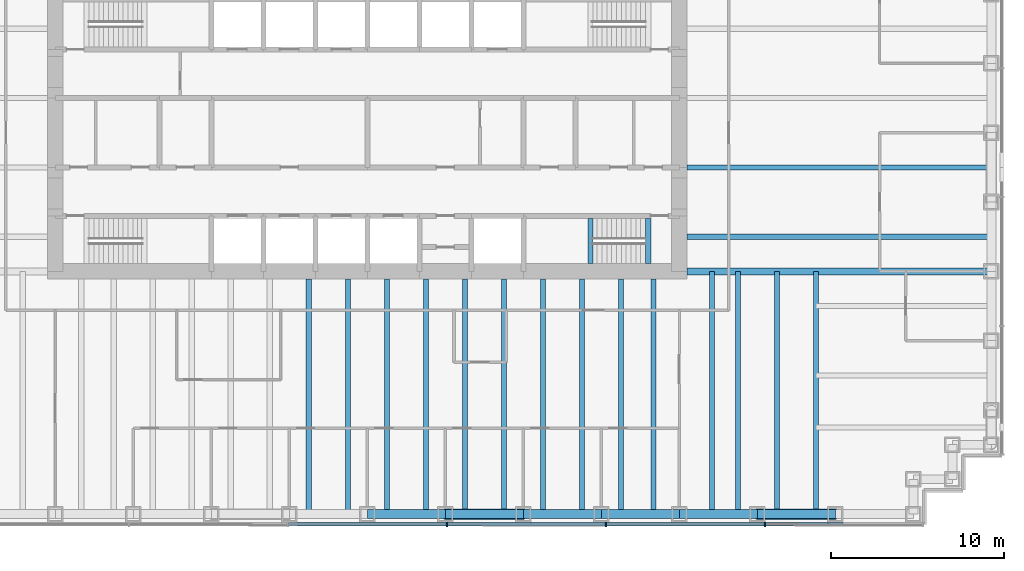
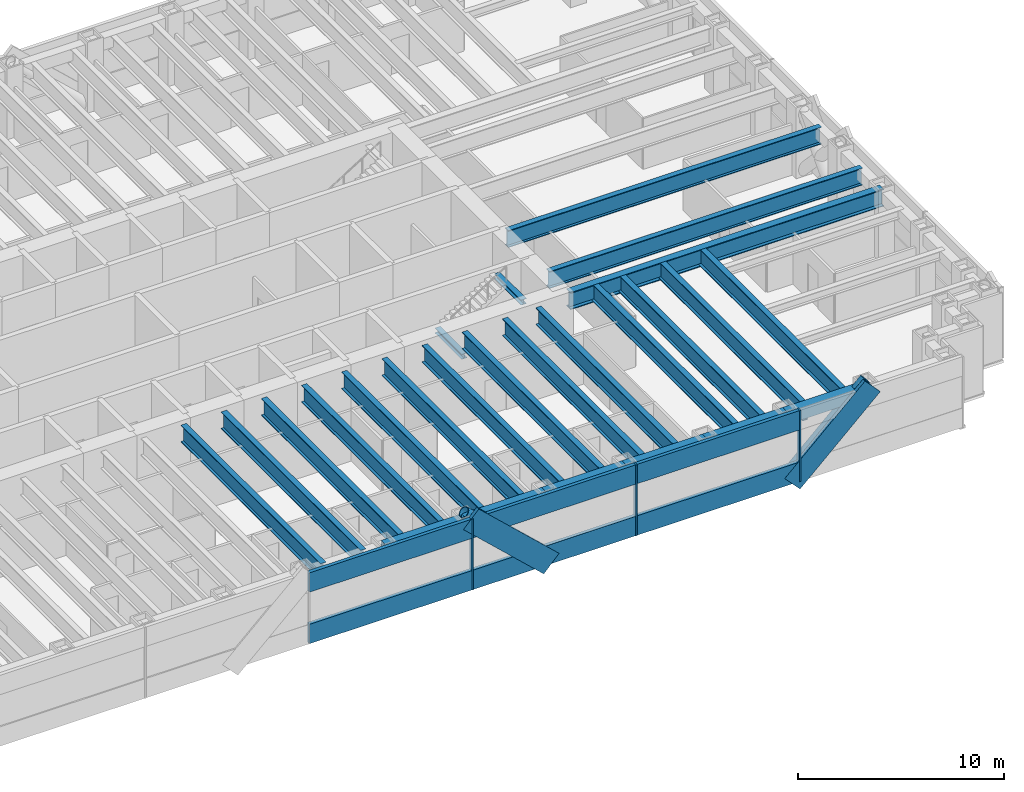
# One storey, part 3 of 16: 25 beams, 13 members, 1 element without a shape of its own.
"""IFC4 building model written with IfcOpenShell, lengths in metres."""

from ifc_helpers import new_model, si_unit, direction, frame, origin, origin_2d, place, context, subcontext, project, spatial, rectangle, hollow_rectangle, hollow_circle, i_section, extrude, material, material_profile, profile_set, type_object, element, aggregate, save


model = new_model("IFC4")

# Units and contexts
model_context = context("Model", 3, precision=1e-05, world=origin(), true_north=direction((0.0, 1.0)))
body_context = subcontext(model_context, "Body", "Model", "MODEL_VIEW")
ifc_project = project(units=[si_unit("LENGTHUNIT", "METRE"), si_unit("AREAUNIT", "SQUARE_METRE"), si_unit("VOLUMEUNIT", "CUBIC_METRE"), si_unit("PLANEANGLEUNIT", "RADIAN"), si_unit("MASSUNIT", "GRAM", prefix="KILO")], contexts=[model_context])

# Site, building, storey
site_placement = place(None, origin())
site = spatial("IfcSite", under=ifc_project, at=site_placement, CompositionType="ELEMENT")
building_placement = place(site_placement, origin())
building = spatial("IfcBuilding", under=site, at=building_placement, Name="Rheinbord Bourse Tower", CompositionType="ELEMENT")
storey_placement = place(building_placement, frame((0.0, 0.0, 176.10009765625)))
storey = spatial("IfcBuildingStorey", under=building, at=storey_placement, Name="L39", CompositionType="ELEMENT", Elevation=176.10009765625)

# Beams
ifc_material_1 = material(Name="Steel S460M", Category="steel")
ifc_material_profile_1 = material_profile(ifc_material_1, hollow_rectangle(XDim=0.5, YDim=0.699951171875, WallThickness=0.0400390625, at=origin_2d()), Name="BOX 700x500x40")
ifc_profile_set_1 = profile_set([ifc_material_profile_1], Name="Steel S460M")
beam_type_1 = type_object("IfcBeamType", Name="BELT CHORD BOX 700x500x40", PredefinedType="SPANDREL", material=ifc_profile_set_1)
for number, where, z_axis, x_axis, name in (
    (1, (36.0, 2.0, 3.599853515625), (1.0, 0.0, 0.0), (0.0, 1.0, 0.0), "Spandrel S-36-S-40.5 under L40"),
    (2, (40.5, 2.0, 3.599853515625), (1.0, 0.0, 0.0), (0.0, 1.0, 0.0), "Spandrel S-40.5-S-45 under L40"),
    (3, (45.0, 2.0, 3.599853515625), (1.0, 0.0, 0.0), (0.0, 1.0, 0.0), "Spandrel S-45-S-49.5 under L40"),
    (4, (49.5, 2.0, 3.599853515625), (1.0, 0.0, 0.0), (0.0, 1.0, 0.0), "Spandrel S-49.5-S-54 under L40"),
    (5, (54.0, 2.0, 3.599853515625), (1.0, 0.0, 0.0), (0.0, 1.0, 0.0), "Spandrel S-54-S-58.5 under L40"),
    (6, (58.5, 2.0, 3.599853515625), (1.0, 0.0, 0.0), (0.0, 1.0, 0.0), "Spandrel S-58.5-S-63 under L40"),
):
    element("IfcBeam", number, at=place(storey_placement, frame(where, z_axis=z_axis, x_axis=x_axis)), inside=storey, type_object=beam_type_1, Name=name, PredefinedType="SPANDREL", context=body_context, shape_type="SweptSolid", body=[
        extrude(hollow_rectangle(XDim=0.5, YDim=0.699951171875, WallThickness=0.0400390625, at=origin_2d()), origin(), (0.0, 0.0, 1.0), 4.5),
    ])

# Curtain wall, members
ifc_material_2 = material(Name="Dark glass and black aluminium", Category="aluminium")
curtain_wall_type = type_object("IfcCurtainWallType", Name="CW5 DARK GLASS CURTAIN WALL", PredefinedType="USERDEFINED", material=ifc_material_2)
curtain_wall_placement = place(storey_placement, origin())
curtain_wall = element("IfcCurtainWall", 7, at=curtain_wall_placement, inside=storey, type_object=curtain_wall_type, Name="Curtain wall CW5 S L39", ObjectType="UNITISED CURTAIN WALL", PredefinedType="USERDEFINED")
ifc_material_3 = material(Name="Black anodised aluminium", Category="aluminium")
ifc_material_profile_2 = material_profile(ifc_material_3, rectangle(XDim=0.199951171875, YDim=1.259033203125, at=origin_2d()), Name="CW5 DIAGONAL MULLION 1259x200")
ifc_profile_set_2 = profile_set([ifc_material_profile_2], Name="Black anodised aluminium")
member_type_1 = type_object("IfcMemberType", Name="CW5 BLACK DIAGONAL MULLION", PredefinedType="USERDEFINED", material=ifc_profile_set_2)
member_1_placement = place(storey_placement, frame((58.5, 1.39990234375, 0.0), z_axis=(0.73105922506, 0.0, 0.682314010889), x_axis=(0.0, 1.0, 0.0)))
member_1 = element("IfcMember", 8, at=member_1_placement, type_object=member_type_1, Name="CW5 diagonal mullion a", ObjectType="DIAGONAL MULLION", PredefinedType="USERDEFINED", context=body_context, shape_type="SweptSolid", body=[
    extrude(rectangle(XDim=0.199951171875, YDim=1.259033203125, at=origin_2d()), origin(), (0.0, 0.0, 1.0), 6.155517578125),
])
member_2_placement = place(storey_placement, frame((45.0, 1.39990234375, 0.0), z_axis=(-0.73105922506, 0.0, 0.682314010889), x_axis=(0.0, -1.0, 0.0)))
member_2 = element("IfcMember", 9, at=member_2_placement, type_object=member_type_1, Name="CW5 diagonal mullion c", ObjectType="DIAGONAL MULLION", PredefinedType="USERDEFINED", context=body_context, shape_type="SweptSolid", body=[
    extrude(rectangle(XDim=0.199951171875, YDim=1.259033203125, at=origin_2d()), origin(), (0.0, 0.0, 1.0), 6.155517578125),
])
ifc_material_4 = material(Name="Black anodised aluminium", Category="aluminium")
ifc_material_profile_3 = material_profile(ifc_material_4, rectangle(XDim=0.25, YDim=0.080078125, at=origin_2d()), Name="CW5 MULLION 80x250")
ifc_profile_set_3 = profile_set([ifc_material_profile_3], Name="Black anodised aluminium")
member_type_2 = type_object("IfcMemberType", Name="CW5 BLACK MULLION", PredefinedType="MULLION", material=ifc_profile_set_3)
member_3_placement = place(storey_placement, frame((40.585693359375, 1.39990234375, 0.0), z_axis=(0.0, 0.0, 1.0), x_axis=(0.0, 1.0, 0.0)))
member_3 = element("IfcMember", 10, at=member_3_placement, type_object=member_type_2, Name="CW5 mullion 5", PredefinedType="MULLION", context=body_context, shape_type="SweptSolid", body=[
    extrude(rectangle(XDim=0.25, YDim=0.080078125, at=origin_2d()), origin(), (0.0, 0.0, 1.0), 4.199951171875),
])
member_4_placement = place(storey_placement, frame((49.757080078125, 1.39990234375, 0.0), z_axis=(0.0, 0.0, 1.0), x_axis=(0.0, 1.0, 0.0)))
member_4 = element("IfcMember", 11, at=member_4_placement, type_object=member_type_2, Name="CW5 mullion 6", PredefinedType="MULLION", context=body_context, shape_type="SweptSolid", body=[
    extrude(rectangle(XDim=0.25, YDim=0.080078125, at=origin_2d()), origin(), (0.0, 0.0, 1.0), 4.199951171875),
])
member_5_placement = place(storey_placement, frame((58.928466796875, 1.39990234375, 0.0), z_axis=(0.0, 0.0, 1.0), x_axis=(0.0, 1.0, 0.0)))
member_5 = element("IfcMember", 12, at=member_5_placement, type_object=member_type_2, Name="CW5 mullion 7", PredefinedType="MULLION", context=body_context, shape_type="SweptSolid", body=[
    extrude(rectangle(XDim=0.25, YDim=0.080078125, at=origin_2d()), origin(), (0.0, 0.0, 1.0), 4.199951171875),
])
ifc_material_5 = material(Name="Black anodised aluminium", Category="aluminium")
ifc_material_profile_4 = material_profile(ifc_material_5, rectangle(XDim=0.199951171875, YDim=1.14990234375, at=origin_2d()), Name="CW5 TRANSOM 1150x200")
ifc_profile_set_4 = profile_set([ifc_material_profile_4], Name="Black anodised aluminium")
member_type_3 = type_object("IfcMemberType", Name="CW5 BLACK TRANSOM", PredefinedType="USERDEFINED", material=ifc_profile_set_4)
member_6_placement = place(storey_placement, frame((31.454345703125, 1.39990234375, 0.574951171875), z_axis=(1.0, 0.0, 0.0), x_axis=(0.0, 1.0, 0.0)))
member_6 = element("IfcMember", 13, at=member_6_placement, type_object=member_type_3, Name="CW5 transom 4.1", ObjectType="TRANSOM", PredefinedType="USERDEFINED", context=body_context, shape_type="SweptSolid", body=[
    extrude(rectangle(XDim=0.199951171875, YDim=1.14990234375, at=origin_2d()), origin(), (0.0, 0.0, 1.0), 9.09130859375),
])
member_7_placement = place(storey_placement, frame((31.454345703125, 1.39990234375, 3.625), z_axis=(1.0, 0.0, 0.0), x_axis=(0.0, 1.0, 0.0)))
member_7 = element("IfcMember", 14, at=member_7_placement, type_object=member_type_3, Name="CW5 transom 4.2", ObjectType="TRANSOM", PredefinedType="USERDEFINED", context=body_context, shape_type="SweptSolid", body=[
    extrude(rectangle(XDim=0.199951171875, YDim=1.14990234375, at=origin_2d()), origin(), (0.0, 0.0, 1.0), 9.09130859375),
])
member_8_placement = place(storey_placement, frame((40.625732421875, 1.39990234375, 0.574951171875), z_axis=(1.0, 0.0, 0.0), x_axis=(0.0, 1.0, 0.0)))
member_8 = element("IfcMember", 15, at=member_8_placement, type_object=member_type_3, Name="CW5 transom 5.1", ObjectType="TRANSOM", PredefinedType="USERDEFINED", context=body_context, shape_type="SweptSolid", body=[
    extrude(rectangle(XDim=0.199951171875, YDim=1.14990234375, at=origin_2d()), origin(), (0.0, 0.0, 1.0), 9.09130859375),
])
member_9_placement = place(storey_placement, frame((40.625732421875, 1.39990234375, 3.625), z_axis=(1.0, 0.0, 0.0), x_axis=(0.0, 1.0, 0.0)))
member_9 = element("IfcMember", 16, at=member_9_placement, type_object=member_type_3, Name="CW5 transom 5.2", ObjectType="TRANSOM", PredefinedType="USERDEFINED", context=body_context, shape_type="SweptSolid", body=[
    extrude(rectangle(XDim=0.199951171875, YDim=1.14990234375, at=origin_2d()), origin(), (0.0, 0.0, 1.0), 9.09130859375),
])
member_10_placement = place(storey_placement, frame((49.797119140625, 1.39990234375, 0.574951171875), z_axis=(1.0, 0.0, 0.0), x_axis=(0.0, 1.0, 0.0)))
member_10 = element("IfcMember", 17, at=member_10_placement, type_object=member_type_3, Name="CW5 transom 6.1", ObjectType="TRANSOM", PredefinedType="USERDEFINED", context=body_context, shape_type="SweptSolid", body=[
    extrude(rectangle(XDim=0.199951171875, YDim=1.14990234375, at=origin_2d()), origin(), (0.0, 0.0, 1.0), 9.091552734375),
])
member_11_placement = place(storey_placement, frame((49.797119140625, 1.39990234375, 3.625), z_axis=(1.0, 0.0, 0.0), x_axis=(0.0, 1.0, 0.0)))
member_11 = element("IfcMember", 18, at=member_11_placement, type_object=member_type_3, Name="CW5 transom 6.2", ObjectType="TRANSOM", PredefinedType="USERDEFINED", context=body_context, shape_type="SweptSolid", body=[
    extrude(rectangle(XDim=0.199951171875, YDim=1.14990234375, at=origin_2d()), origin(), (0.0, 0.0, 1.0), 9.091552734375),
])
aggregate(curtain_wall, [member_3, member_4, member_5, member_6, member_7, member_8, member_9, member_10, member_11, member_1, member_2])

# Beams
ifc_material_6 = material(Name="Steel S460", Category="steel")
ifc_material_profile_5 = material_profile(ifc_material_6, i_section(OverallWidth=0.302001953125, OverallDepth=1.008056640625, WebThickness=0.02099609375, FlangeThickness=0.0400390625, at=origin_2d()), Name="HEM 1000")
ifc_profile_set_5 = profile_set([ifc_material_profile_5], Name="Steel S460")
beam_type_2 = type_object("IfcBeamType", Name="END BEAM HEM 1000", PredefinedType="BEAM", material=ifc_profile_set_5)
for number, where, z_axis, x_axis, name in (
    (19, (54.449951171875, 18.0, 3.44580078125), (1.0, 0.0, 0.0), (0.0, 1.0, 0.0), "End beam east 18 L40"),
    (20, (54.449951171875, 22.0, 3.44580078125), (1.0, 0.0, 0.0), (0.0, 1.0, 0.0), "End beam east 22 L40"),
):
    element("IfcBeam", number, at=place(storey_placement, frame(where, z_axis=z_axis, x_axis=x_axis)), inside=storey, type_object=beam_type_2, Name=name, PredefinedType="BEAM", context=body_context, shape_type="SweptSolid", body=[
        extrude(i_section(OverallWidth=0.302001953125, OverallDepth=1.008056640625, WebThickness=0.02099609375, FlangeThickness=0.0400390625, at=origin_2d()), origin(), (0.0, 0.0, 1.0), 17.550048828125),
    ])
ifc_material_7 = material(Name="Steel S460", Category="steel")
ifc_material_profile_6 = material_profile(ifc_material_7, i_section(OverallWidth=0.302001953125, OverallDepth=1.008056640625, WebThickness=0.02099609375, FlangeThickness=0.0400390625, at=origin_2d()), Name="HEM 1000")
ifc_profile_set_6 = profile_set([ifc_material_profile_6], Name="Steel S460")
beam_type_3 = type_object("IfcBeamType", Name="FLOOR BEAM HEM 1000", PredefinedType="BEAM", material=ifc_profile_set_6)
for number, where, z_axis, x_axis, name in (
    (21, (32.625, 2.0, 3.44580078125), (0.0, 1.0, 0.0), (-1.0, 0.0, 0.0), "Floor beam S-31.5a L40"),
    (22, (34.875, 2.0, 3.44580078125), (0.0, 1.0, 0.0), (-1.0, 0.0, 0.0), "Floor beam S-31.5b L40"),
    (23, (37.125, 2.0, 3.44580078125), (0.0, 1.0, 0.0), (-1.0, 0.0, 0.0), "Floor beam S-36a L40"),
    (24, (39.375, 2.0, 3.44580078125), (0.0, 1.0, 0.0), (-1.0, 0.0, 0.0), "Floor beam S-36b L40"),
    (25, (41.625, 2.0, 3.44580078125), (0.0, 1.0, 0.0), (-1.0, 0.0, 0.0), "Floor beam S-40.5a L40"),
    (26, (43.875, 2.0, 3.44580078125), (0.0, 1.0, 0.0), (-1.0, 0.0, 0.0), "Floor beam S-40.5b L40"),
    (27, (46.125, 2.0, 3.44580078125), (0.0, 1.0, 0.0), (-1.0, 0.0, 0.0), "Floor beam S-45a L40"),
    (28, (48.375, 2.0, 3.44580078125), (0.0, 1.0, 0.0), (-1.0, 0.0, 0.0), "Floor beam S-45b L40"),
    (29, (50.625, 2.0, 3.44580078125), (0.0, 1.0, 0.0), (-1.0, 0.0, 0.0), "Floor beam S-49.5a L40"),
    (30, (52.5, 2.0, 3.44580078125), (0.0, 1.0, 0.0), (-1.0, 0.0, 0.0), "Floor beam S-49.5b L40"),
):
    element("IfcBeam", number, at=place(storey_placement, frame(where, z_axis=z_axis, x_axis=x_axis)), inside=storey, type_object=beam_type_3, Name=name, PredefinedType="BEAM", context=body_context, shape_type="SweptSolid", body=[
        extrude(i_section(OverallWidth=0.302001953125, OverallDepth=1.008056640625, WebThickness=0.02099609375, FlangeThickness=0.0400390625, at=origin_2d()), origin(), (0.0, 0.0, 1.0), 13.550048828125),
    ])
for number, where, z_axis, x_axis, name in (
    (31, (55.875, 2.0, 3.44580078125), (0.0, 1.0, 0.0), (-1.0, 0.0, 0.0), "Floor beam S-54a L40"),
    (32, (57.375, 2.0, 3.44580078125), (0.0, 1.0, 0.0), (-1.0, 0.0, 0.0), "Floor beam S-54b L40"),
    (33, (59.625, 2.0, 3.44580078125), (0.0, 1.0, 0.0), (-1.0, 0.0, 0.0), "Floor beam S-58.5a L40"),
    (34, (61.875, 2.0, 3.44580078125), (0.0, 1.0, 0.0), (-1.0, 0.0, 0.0), "Floor beam S-58.5b L40"),
):
    element("IfcBeam", number, at=place(storey_placement, frame(where, z_axis=z_axis, x_axis=x_axis)), inside=storey, type_object=beam_type_3, Name=name, PredefinedType="BEAM", context=body_context, shape_type="SweptSolid", body=[
        extrude(i_section(OverallWidth=0.302001953125, OverallDepth=1.008056640625, WebThickness=0.02099609375, FlangeThickness=0.0400390625, at=origin_2d()), origin(), (0.0, 0.0, 1.0), 14.0),
    ])
ifc_material_8 = material(Name="Steel S460", Category="steel")
ifc_material_profile_7 = material_profile(ifc_material_8, i_section(OverallWidth=0.404052734375, OverallDepth=1.02001953125, WebThickness=0.025390625, FlangeThickness=0.0458984375, at=origin_2d()), Name="HL 1000 x 483")
ifc_profile_set_7 = profile_set([ifc_material_profile_7], Name="Steel S460")
beam_type_4 = type_object("IfcBeamType", Name="GIRDER HL 1000 x 483", PredefinedType="BEAM", material=ifc_profile_set_7)
beam_placement = place(storey_placement, frame((54.449951171875, 16.0, 3.43994140625), z_axis=(1.0, 0.0, 0.0), x_axis=(0.0, 1.0, 0.0)))
element("IfcBeam", 35, at=beam_placement, inside=storey, type_object=beam_type_4, Name="Girder east 16 L40", PredefinedType="BEAM", context=body_context, shape_type="SweptSolid", body=[
    extrude(i_section(OverallWidth=0.404052734375, OverallDepth=1.02001953125, WebThickness=0.025390625, FlangeThickness=0.0458984375, at=origin_2d()), origin(), (0.0, 0.0, 1.0), 17.550048828125),
])
ifc_material_9 = material(Name="Steel S460", Category="steel")
ifc_material_profile_8 = material_profile(ifc_material_9, i_section(OverallWidth=0.300048828125, OverallDepth=0.300048828125, WebThickness=0.010986328125, FlangeThickness=0.01904296875, at=origin_2d()), Name="HEB 300")
ifc_profile_set_8 = profile_set([ifc_material_profile_8], Name="Steel S460")
beam_type_5 = type_object("IfcBeamType", Name="LANDING TRIMMER HEB 300", PredefinedType="BEAM", material=ifc_profile_set_8)
for number, where, z_axis, x_axis, name in (
    (36, (48.8701171875, 16.449951171875, 1.75), (0.0, 1.0, 0.0), (-1.0, 0.0, 0.0), "Landing trimmer ST3 L39"),
    (37, (52.199951171875, 16.449951171875, 3.7998046875), (0.0, 1.0, 0.0), (-1.0, 0.0, 0.0), "Well trimmer ST3 under L40"),
):
    element("IfcBeam", number, at=place(storey_placement, frame(where, z_axis=z_axis, x_axis=x_axis)), inside=storey, type_object=beam_type_5, Name=name, PredefinedType="BEAM", context=body_context, shape_type="SweptSolid", body=[
        extrude(i_section(OverallWidth=0.300048828125, OverallDepth=0.300048828125, WebThickness=0.010986328125, FlangeThickness=0.01904296875, at=origin_2d()), origin(), (0.0, 0.0, 1.0), 2.60009765625),
    ])

# Members
ifc_material_10 = material(Name="Steel S460", Category="steel")
ifc_material_profile_9 = material_profile(ifc_material_10, hollow_circle(Radius=0.304931640625, WallThickness=0.0400390625, at=origin_2d()), Name="CHS 610x40")
ifc_profile_set_9 = profile_set([ifc_material_profile_9], Name="Steel S460")
member_type_4 = type_object("IfcMemberType", Name="MEGABRACE CHS 610x40", PredefinedType="BRACE", material=ifc_profile_set_9)
for number, where, z_axis, x_axis, name in (
    (38, (58.5, 2.0, 0.0), (0.73105922506, 0.0, 0.682314010889), (0.0, 1.0, 0.0), "Megabrace S face line a L39"),
    (39, (45.0, 2.0, 0.0), (-0.73105922506, 0.0, 0.682314010889), (0.0, -1.0, 0.0), "Megabrace S face line c L39"),
):
    element("IfcMember", number, at=place(storey_placement, frame(where, z_axis=z_axis, x_axis=x_axis)), inside=storey, type_object=member_type_4, Name=name, PredefinedType="BRACE", context=body_context, shape_type="SweptSolid", body=[
        extrude(hollow_circle(Radius=0.304931640625, WallThickness=0.0400390625, at=origin_2d()), origin(), (0.0, 0.0, 1.0), 6.155517578125),
    ])

save(model, "model.ifc")
